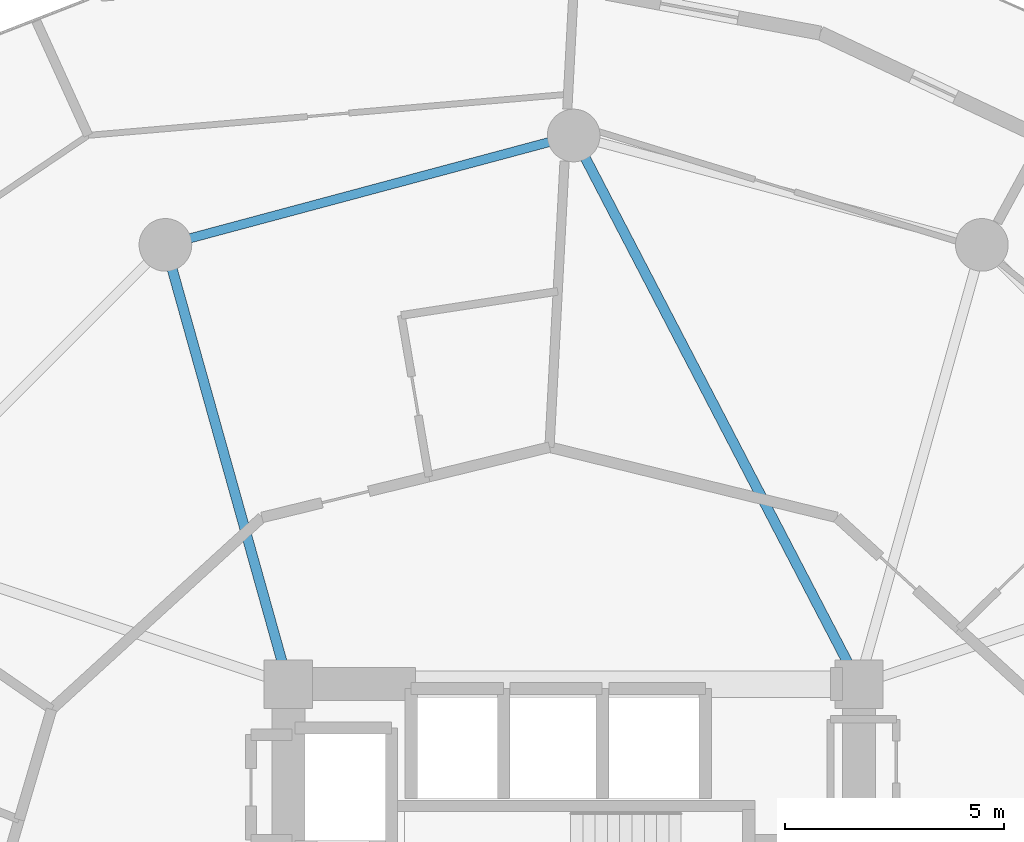
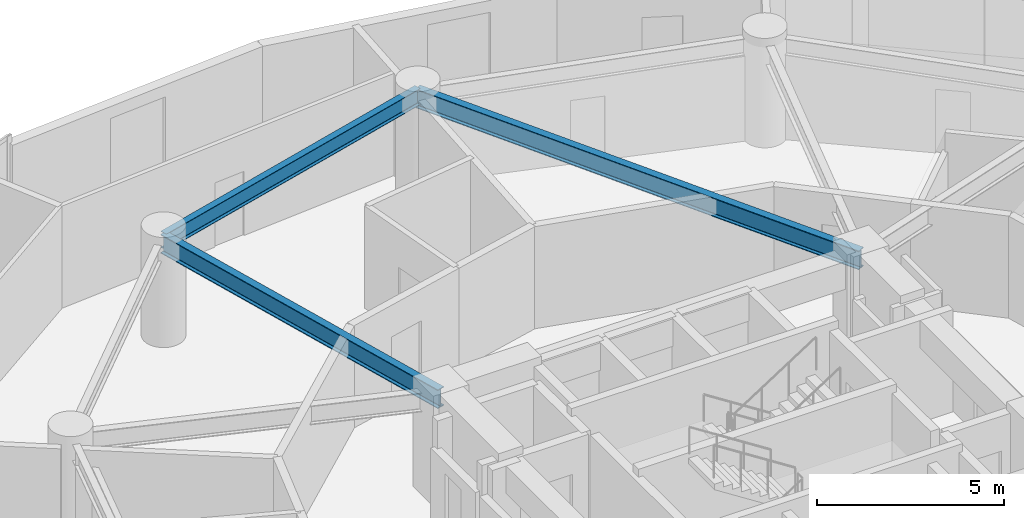
# One storey, part 16 of 26: 3 beams.
"""IFC4 building model written with IfcOpenShell, lengths in metres."""

from ifc_helpers import new_model, si_unit, direction, frame, origin, origin_2d, place, context, subcontext, project, spatial, i_section, extrude, material, material_profile, profile_set, type_object, element, save


model = new_model("IFC4")

# Units and contexts
model_context = context("Model", 3, precision=1e-05, world=origin(), true_north=direction((0.0, 1.0)))
body_context = subcontext(model_context, "Body", "Model", "MODEL_VIEW")
ifc_project = project(units=[si_unit("LENGTHUNIT", "METRE"), si_unit("AREAUNIT", "SQUARE_METRE"), si_unit("VOLUMEUNIT", "CUBIC_METRE"), si_unit("PLANEANGLEUNIT", "RADIAN"), si_unit("MASSUNIT", "GRAM", prefix="KILO")], contexts=[model_context])

# Site, building, storey
site_placement = place(None, origin())
site = spatial("IfcSite", under=ifc_project, at=site_placement, CompositionType="ELEMENT")
building_placement = place(site_placement, origin())
building = spatial("IfcBuilding", under=site, at=building_placement, Name="Solvirekh Grand Hotel", CompositionType="ELEMENT")
storey_placement = place(building_placement, frame((0.0, 0.0, 68.0)))
storey = spatial("IfcBuildingStorey", under=building, at=storey_placement, Name="L16", CompositionType="ELEMENT", Elevation=68.0)

# Beams
ifc_material = material(Name="Steel S355", Category="steel")
ifc_material_profile_1 = material_profile(ifc_material, i_section(OverallWidth=0.22998046875, OverallDepth=0.615966796875, WebThickness=0.013916015625, FlangeThickness=0.02392578125, FilletRadius=0.014892578125, at=origin_2d()), Name="W610X174")
ifc_profile_set_1 = profile_set([ifc_material_profile_1], Name="Steel S355")
beam_type_1 = type_object("IfcBeamType", Name="Beam_Primary_W610H", PredefinedType="BEAM", material=ifc_profile_set_1)
beam_1_placement = place(storey_placement, frame((6.5, 6.10009765625, 3.031982421875), z_axis=(-0.461352736642, 0.887216801235, 0.0), x_axis=(-0.887216801235, -0.461352736642, 0.0)))
element("IfcBeam", 1, at=beam_1_placement, inside=storey, type_object=beam_type_1, Name="L16 radial floor beam R04", PredefinedType="BEAM", context=body_context, shape_type="SweptSolid", body=[
    extrude(i_section(OverallWidth=0.22998046875, OverallDepth=0.615966796875, WebThickness=0.013916015625, FlangeThickness=0.02392578125, FilletRadius=0.014892578125, at=origin_2d()), origin(), (0.0, 0.0, 1.0), 14.089111328125),
])
beam_2_placement = place(storey_placement, frame((-6.5, 6.10009765625, 3.031982421875), z_axis=(-0.269439084681, 0.963017434757, 0.0), x_axis=(-0.963017434757, -0.269439084681, 0.0)))
element("IfcBeam", 2, at=beam_2_placement, inside=storey, type_object=beam_type_1, Name="L16 radial floor beam R05", PredefinedType="BEAM", context=body_context, shape_type="SweptSolid", body=[
    extrude(i_section(OverallWidth=0.22998046875, OverallDepth=0.615966796875, WebThickness=0.013916015625, FlangeThickness=0.02392578125, FilletRadius=0.014892578125, at=origin_2d()), origin(), (0.0, 0.0, 1.0), 10.39208984375),
])
ifc_material_profile_2 = material_profile(ifc_material, i_section(OverallWidth=0.208984375, OverallDepth=0.532958984375, WebThickness=0.010009765625, FlangeThickness=0.014892578125, FilletRadius=0.013916015625, at=origin_2d()), Name="W530X92")
ifc_profile_set_2 = profile_set([ifc_material_profile_2], Name="Steel S355")
beam_type_2 = type_object("IfcBeamType", Name="Spandrel_Ring_W530", PredefinedType="SPANDREL", material=ifc_profile_set_2)
beam_3_placement = place(storey_placement, frame((0.0, 18.60009765625, 3.073974609375), z_axis=(-0.965919414426, -0.258842973314, 0.0), x_axis=(0.258842973314, -0.965919414426, 0.0)))
element("IfcBeam", 3, at=beam_3_placement, inside=storey, type_object=beam_type_2, Name="L16 perimeter spandrel beam 4", PredefinedType="SPANDREL", context=body_context, shape_type="SweptSolid", body=[
    extrude(i_section(OverallWidth=0.208984375, OverallDepth=0.532958984375, WebThickness=0.010009765625, FlangeThickness=0.014892578125, FilletRadius=0.013916015625, at=origin_2d()), origin(), (0.0, 0.0, 1.0), 9.628173828125),
])

save(model, "model.ifc")
